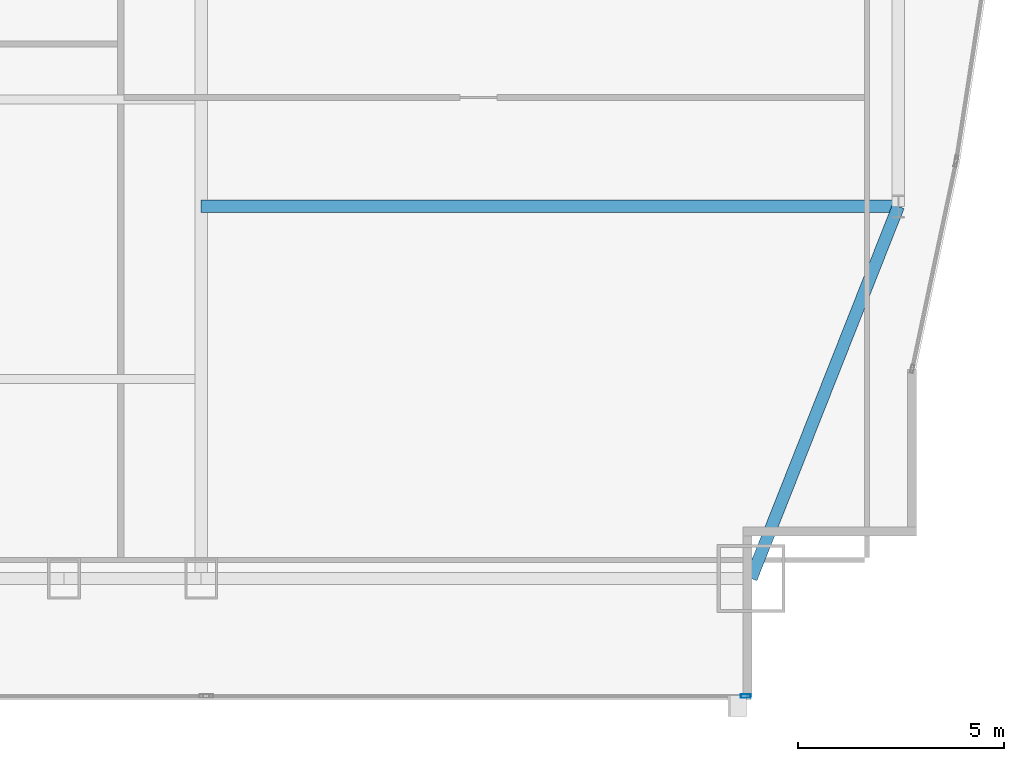
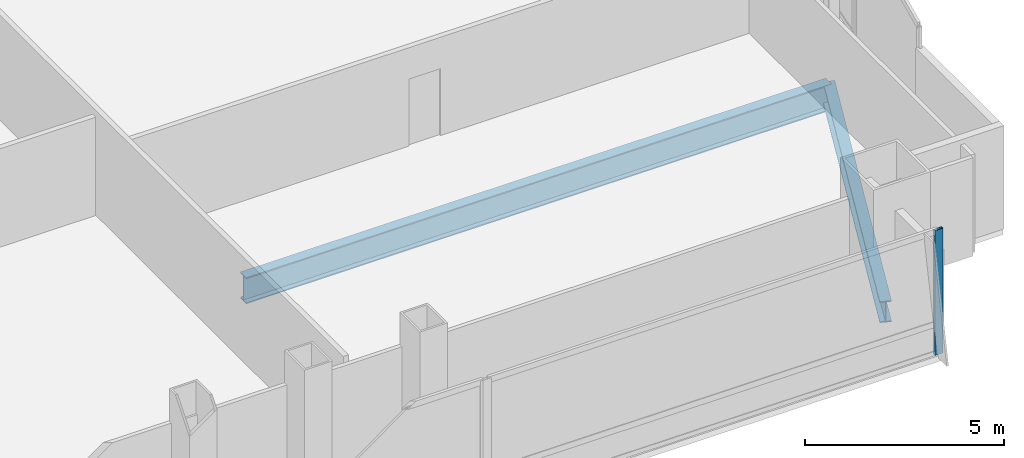
# One storey, part 21 of 35: 2 beams, 1 member, 1 element without a shape of its own.
"""IFC4 building model written with IfcOpenShell, lengths in metres."""

from ifc_helpers import new_model, si_unit, direction, frame, origin, origin_2d, place, context, subcontext, project, spatial, hollow_rectangle, i_section, extrude, material, material_profile, profile_set, type_object, element, aggregate, save


model = new_model("IFC4")

# Units and contexts
model_context = context("Model", 3, precision=1e-05, world=origin(), true_north=direction((0.0, 1.0)))
body_context = subcontext(model_context, "Body", "Model", "MODEL_VIEW")
ifc_project = project(units=[si_unit("LENGTHUNIT", "METRE"), si_unit("AREAUNIT", "SQUARE_METRE"), si_unit("VOLUMEUNIT", "CUBIC_METRE"), si_unit("PLANEANGLEUNIT", "RADIAN"), si_unit("MASSUNIT", "GRAM", prefix="KILO")], contexts=[model_context])

# Site, building, storey
site_placement = place(None, origin())
site = spatial("IfcSite", under=ifc_project, at=site_placement, CompositionType="ELEMENT")
building_placement = place(site_placement, origin())
building = spatial("IfcBuilding", under=site, at=building_placement, Name="Khoronbel Lancet Exchange", CompositionType="ELEMENT")
storey_placement = place(building_placement, frame((0.0, 0.0, 53.800048828125)))
storey = spatial("IfcBuildingStorey", under=building, at=storey_placement, Name="L12", CompositionType="ELEMENT", Elevation=53.800048828125)

# Beams
ifc_material_1 = material(Name="Steel S355", Category="steel")
ifc_material_profile_1 = material_profile(ifc_material_1, i_section(OverallWidth=0.300048828125, OverallDepth=0.800048828125, WebThickness=0.017578125, FlangeThickness=0.032958984375, at=origin_2d()), Name="HEB 800")
ifc_profile_set_1 = profile_set([ifc_material_profile_1], Name="Steel S355")
beam_type_1 = type_object("IfcBeamType", Name="BM-BG2", PredefinedType="BEAM", material=ifc_profile_set_1)
beam_1_placement = place(storey_placement, frame((54.675048828125, 19.199951171875, -0.580078125), z_axis=(1.0, 0.0, 0.0), x_axis=(0.0, 1.0, 0.0)))
element("IfcBeam", 1, at=beam_1_placement, inside=storey, type_object=beam_type_1, Name="Level L12 east lens tie girder LG1E", PredefinedType="BEAM", context=body_context, shape_type="SweptSolid", body=[
    extrude(i_section(OverallWidth=0.300048828125, OverallDepth=0.800048828125, WebThickness=0.017578125, FlangeThickness=0.032958984375, at=origin_2d()), origin(), (0.0, 0.0, 1.0), 16.954833984375),
])
ifc_material_profile_2 = material_profile(ifc_material_1, i_section(OverallWidth=0.300048828125, OverallDepth=0.64990234375, WebThickness=0.01611328125, FlangeThickness=0.031005859375, at=origin_2d()), Name="HEB 650")
ifc_profile_set_2 = profile_set([ifc_material_profile_2], Name="Steel S355")
beam_type_2 = type_object("IfcBeamType", Name="BM-BSP1", PredefinedType="SPANDREL", material=ifc_profile_set_2)
beam_2_placement = place(storey_placement, frame((68.050048828125, 10.14990234375, -0.505126953125), z_axis=(0.367828403855, 0.929893684954, 0.0), x_axis=(-0.929893684954, 0.367828403855, 0.0)))
element("IfcBeam", 2, at=beam_2_placement, inside=storey, type_object=beam_type_2, Name="Level L12 perimeter spandrel beam SP10", PredefinedType="SPANDREL", context=body_context, shape_type="SweptSolid", body=[
    extrude(i_section(OverallWidth=0.300048828125, OverallDepth=0.64990234375, WebThickness=0.01611328125, FlangeThickness=0.031005859375, at=origin_2d()), origin(), (0.0, 0.0, 1.0), 9.732421875),
])

# Curtain wall, member
ifc_material_2 = material(Name="Low-E Solar Control Insulating Glass", Category="glass")
curtain_wall_type = type_object("IfcCurtainWallType", Name="CW-1", PredefinedType="NOTDEFINED", material=ifc_material_2)
curtain_wall_placement = place(storey_placement, origin())
curtain_wall = element("IfcCurtainWall", 3, at=curtain_wall_placement, inside=storey, type_object=curtain_wall_type, Name="Unitised curtain wall CW-L12-SEV", PredefinedType="NOTDEFINED")
ifc_material_3 = material(Name="Bronze-Anodised Aluminium 6063-T6", Category="aluminium")
ifc_material_profile_3 = material_profile(ifc_material_3, hollow_rectangle(XDim=0.0849609375, YDim=0.239990234375, WallThickness=0.006103515625, at=origin_2d()), Name="ALU MULLION 85x240")
ifc_profile_set_3 = profile_set([ifc_material_profile_3], Name="Bronze-Anodised Aluminium 6063-T6")
member_type = type_object("IfcMemberType", Name="MEM-CWM1", PredefinedType="MULLION", material=ifc_profile_set_3)
member_placement = place(storey_placement, frame((67.91748046875, 7.2900390625, 0.0), z_axis=(0.0, 0.0, 1.0), x_axis=(0.0, 1.0, 0.0)))
member = element("IfcMember", 4, at=member_placement, type_object=member_type, Name="CW1 mullion 2", PredefinedType="MULLION", context=body_context, shape_type="SweptSolid", body=[
    extrude(hollow_rectangle(XDim=0.0849609375, YDim=0.239990234375, WallThickness=0.006103515625, at=origin_2d()), origin(), (0.0, 0.0, 1.0), 3.820068359375),
])
aggregate(curtain_wall, [member])

save(model, "model.ifc")
